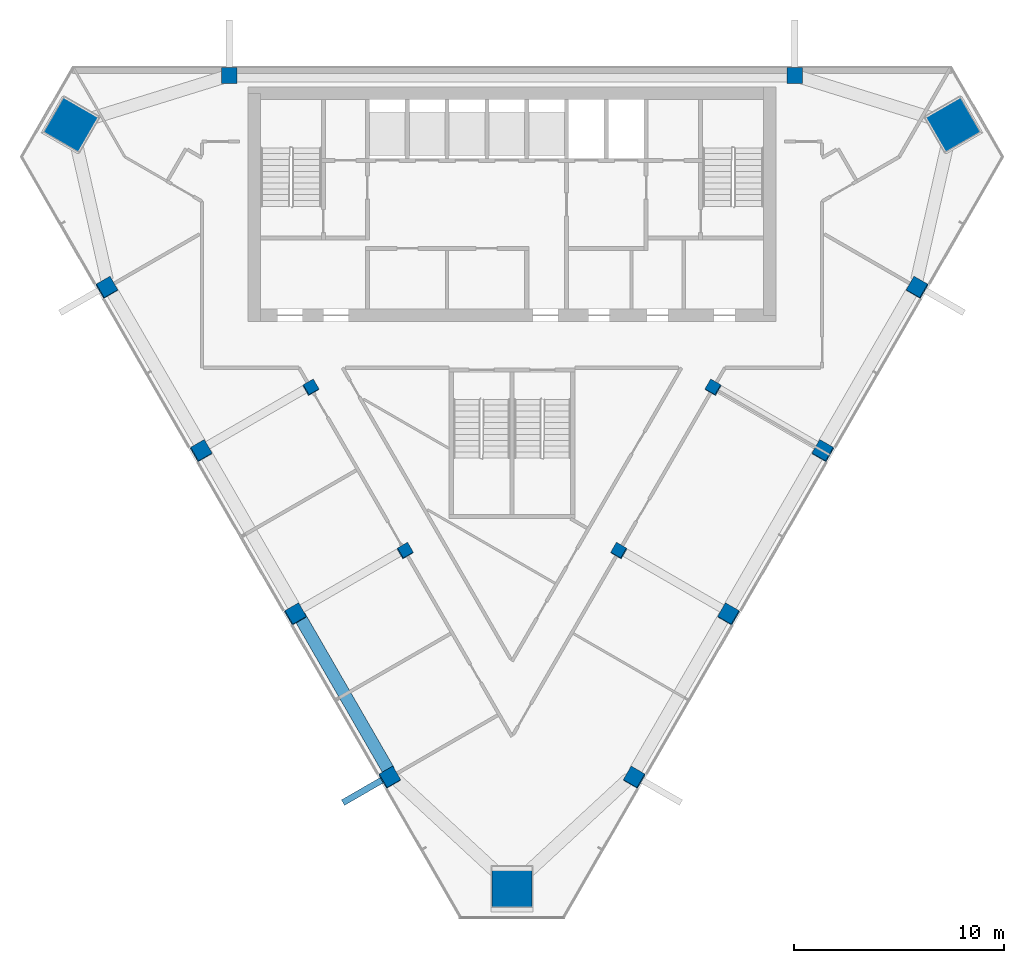
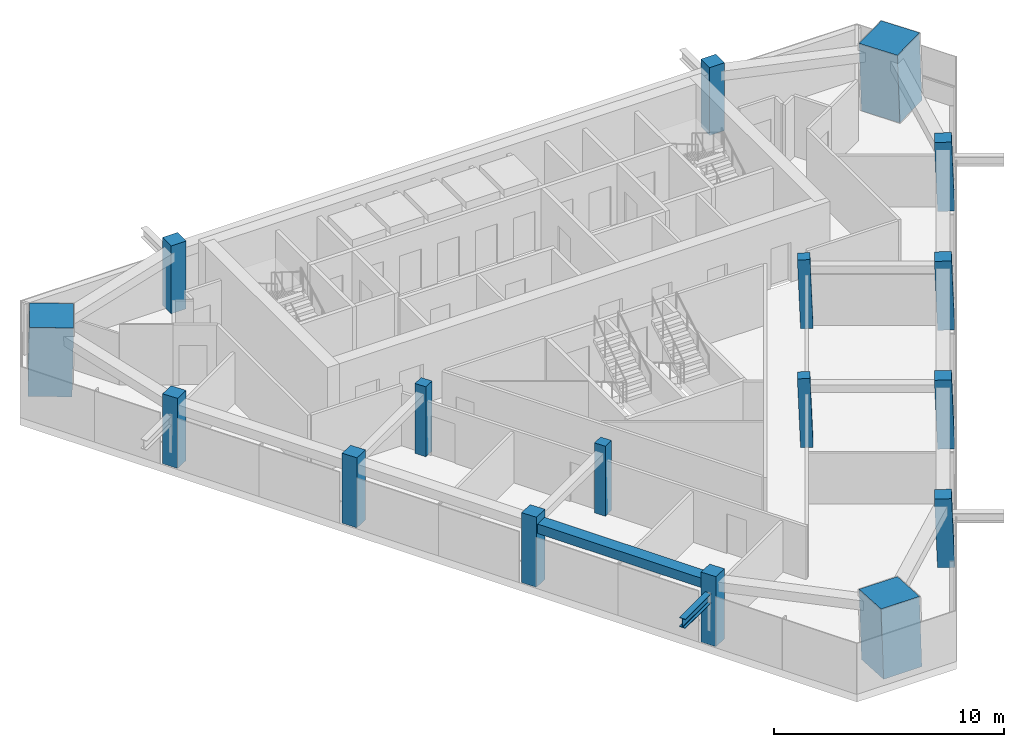
# One storey, part 1 of 12: 17 columns, 1 beam, 1 member.
"""IFC4 building model written with IfcOpenShell, lengths in metres."""

from ifc_helpers import new_model, si_unit, direction, frame, origin, origin_2d, place, context, subcontext, project, spatial, rectangle, i_section, extrude, material, material_profile, profile_set, type_object, element, save


model = new_model("IFC4")

# Units and contexts
model_context = context("Model", 3, precision=1e-05, world=origin(), true_north=direction((0.0, 1.0)))
body_context = subcontext(model_context, "Body", "Model", "MODEL_VIEW")
ifc_project = project(units=[si_unit("LENGTHUNIT", "METRE"), si_unit("AREAUNIT", "SQUARE_METRE"), si_unit("VOLUMEUNIT", "CUBIC_METRE"), si_unit("PLANEANGLEUNIT", "RADIAN"), si_unit("MASSUNIT", "GRAM", prefix="KILO")], contexts=[model_context])

# Site, building, storey
site_placement = place(None, origin())
site = spatial("IfcSite", under=ifc_project, at=site_placement, CompositionType="ELEMENT")
building_placement = place(site_placement, origin())
building = spatial("IfcBuilding", under=site, at=building_placement, Name="Altiplano Prism Tower", CompositionType="ELEMENT")
storey_placement = place(building_placement, frame((0.0, 0.0, 260.800048828125)))
storey = spatial("IfcBuildingStorey", under=building, at=storey_placement, Name="L67", CompositionType="ELEMENT", Elevation=260.800048828125)

# Columns
ifc_material_1 = material(Name="Concrete C60/75", Category="concrete")
ifc_material_profile_1 = material_profile(ifc_material_1, rectangle(XDim=0.550048828125, YDim=0.550048828125, at=origin_2d()), Name="Inner column 550")
ifc_profile_set_1 = profile_set([ifc_material_profile_1], Name="Concrete C60/75")
column_type_1 = type_object("IfcColumnType", Name="Inner column 550", PredefinedType="COLUMN", material=ifc_profile_set_1)
for number, where, z_axis, x_axis, name in (
    (1, (75.38720703125, 89.644287109375, -0.016845703125), (0.02215369191, 0.038413282303, 0.999016333038), (-0.865361979245, -0.49967375975, 0.038402847483), "Inner column I12 L67"),
    (2, (79.88720703125, 81.85009765625, -0.016845703125), (0.02215369191, 0.038413282303, 0.999016333038), (-0.865361979245, -0.49967375975, 0.038402847483), "Inner column I13 L67"),
    (3, (90.11279296875, 81.85009765625, -0.016845703125), (-0.02215369191, 0.038413282303, 0.999016333038), (-0.500657426602, -0.865361516108, 0.022171775474), "Inner column I22 L67"),
    (4, (94.61279296875, 89.644287109375, -0.016845703125), (-0.02215369191, 0.038413282303, 0.999016333038), (-0.500657426602, -0.865361516108, 0.022171775474), "Inner column I23 L67"),
):
    element("IfcColumn", number, at=place(storey_placement, frame(where, z_axis=z_axis, x_axis=x_axis)), inside=storey, type_object=column_type_1, Name=name, PredefinedType="COLUMN", context=body_context, shape_type="SweptSolid", body=[
        extrude(rectangle(XDim=0.550048828125, YDim=0.550048828125, at=origin_2d()), origin(), (0.0, 0.0, 1.0), 3.603759765625),
    ])
ifc_material_2 = material(Name="Concrete C70/85", Category="concrete")
ifc_material_profile_2 = material_profile(ifc_material_2, rectangle(XDim=1.919921875, YDim=1.919921875, at=origin_2d()), Name="Mega column infill 2000")
ifc_profile_set_2 = profile_set([ifc_material_profile_2], Name="Concrete C70/85")
column_type_2 = type_object("IfcColumnType", Name="Mega column infill 2000", PredefinedType="COLUMN", material=ifc_profile_set_2)
column_1_placement = place(storey_placement, frame((63.8935546875, 102.184326171875, 0.0), z_axis=(0.028335986449, 0.009287153453, 0.999555311452), x_axis=(-0.866551221007, 0.498689979124, 0.019932036842)))
element("IfcColumn", 5, at=column_1_placement, inside=storey, type_object=column_type_2, Name="Mega column M0 L67", PredefinedType="COLUMN", context=body_context, shape_type="SweptSolid", body=[
    extrude(rectangle(XDim=1.919921875, YDim=1.919921875, at=origin_2d()), origin(), (0.0, 0.0, 1.0), 3.6015625),
])
column_2_placement = place(storey_placement, frame((85.0, 65.626708984375, 0.0), z_axis=(0.0, 0.058360852261, 0.998295552892), x_axis=(-1.0, 0.0, 0.0)))
element("IfcColumn", 6, at=column_2_placement, inside=storey, type_object=column_type_2, Name="Mega column M1 L67", PredefinedType="COLUMN", context=body_context, shape_type="SweptSolid", body=[
    extrude(rectangle(XDim=1.919921875, YDim=1.919921875, at=origin_2d()), origin(), (0.0, 0.0, 1.0), 3.60595703125),
])
column_3_placement = place(storey_placement, frame((106.1064453125, 102.184326171875, 0.0), z_axis=(-0.028335986449, 0.009287153453, 0.999555311452), x_axis=(0.498283105517, -0.866730669529, 0.022178666655)))
element("IfcColumn", 7, at=column_3_placement, inside=storey, type_object=column_type_2, Name="Mega column M2 L67", PredefinedType="COLUMN", context=body_context, shape_type="SweptSolid", body=[
    extrude(rectangle(XDim=1.919921875, YDim=1.919921875, at=origin_2d()), origin(), (0.0, 0.0, 1.0), 3.6015625),
])
ifc_material_profile_3 = material_profile(ifc_material_1, rectangle(XDim=0.75, YDim=0.75, at=origin_2d()), Name="Perimeter column 750")
ifc_profile_set_3 = profile_set([ifc_material_profile_3], Name="Concrete C60/75")
column_type_3 = type_object("IfcColumnType", Name="Perimeter column 750", PredefinedType="COLUMN", material=ifc_profile_set_3)
for number, where, z_axis, x_axis, name in (
    (8, (98.5, 104.550048828125, 0.0), (0.0, 0.0, 1.0), (1.0, 0.0, 0.0), "Perimeter column P01 L67"),
    (9, (71.5, 104.550048828125, 0.0), (0.0, 0.0, 1.0), (1.0, 0.0, 0.0), "Perimeter column P04 L67"),
):
    element("IfcColumn", number, at=place(storey_placement, frame(where, z_axis=z_axis, x_axis=x_axis)), inside=storey, type_object=column_type_3, Name=name, PredefinedType="COLUMN", context=body_context, shape_type="SweptSolid", body=[
        extrude(rectangle(XDim=0.75, YDim=0.75, at=origin_2d()), origin(), (0.0, 0.0, 1.0), 3.599853515625),
    ])
for number, where, z_axis, x_axis, name in (
    (10, (65.6474609375, 94.413330078125, -0.022705078125), (0.022222910879, 0.038415824599, 0.999014697916), (-0.866021313636, -0.498527687654, 0.038434736505), "Perimeter column P11 L67"),
    (11, (70.1474609375, 86.619140625, -0.022705078125), (0.022222910879, 0.038415824599, 0.999014697916), (-0.866021313636, -0.498527687654, 0.038434736505), "Perimeter column P12 L67"),
    (12, (74.6474609375, 78.82470703125, -0.022705078125), (0.022222852987, 0.038483477124, 0.999012095419), (-0.865639343377, -0.499186736926, 0.038485437179), "Perimeter column P13 L67"),
    (13, (79.1474609375, 71.030517578125, -0.022705078125), (0.022222852987, 0.038483477124, 0.999012095419), (-0.865639343377, -0.499186736926, 0.038485437179), "Perimeter column P14 L67"),
    (14, (90.8525390625, 71.030517578125, -0.022705078125), (-0.022222852987, 0.038483477124, 0.999012095419), (-0.500174641503, -0.865639430517, 0.022219458401), "Perimeter column P21 L67"),
    (15, (95.3525390625, 78.82470703125, -0.022705078125), (-0.022222852987, 0.038483477124, 0.999012095419), (-0.500174641503, -0.865639430517, 0.022219458401), "Perimeter column P22 L67"),
    (16, (99.8525390625, 86.619140625, -0.022705078125), (-0.022222910879, 0.038415824599, 0.999014697916), (-0.499512989381, -0.866022152755, 0.02219018651), "Perimeter column P23 L67"),
    (17, (104.3525390625, 94.413330078125, -0.022705078125), (-0.022222910879, 0.038415824599, 0.999014697916), (-0.499512989381, -0.866022152755, 0.02219018651), "Perimeter column P24 L67"),
):
    element("IfcColumn", number, at=place(storey_placement, frame(where, z_axis=z_axis, x_axis=x_axis)), inside=storey, type_object=column_type_3, Name=name, PredefinedType="COLUMN", context=body_context, shape_type="SweptSolid", body=[
        extrude(rectangle(XDim=0.75, YDim=0.75, at=origin_2d()), origin(), (0.0, 0.0, 1.0), 3.603515625),
    ])

# Member
ifc_material_3 = material(Name="Steel S355", Category="steel")
ifc_material_profile_4 = material_profile(ifc_material_3, i_section(OverallWidth=0.300048828125, OverallDepth=0.5, WebThickness=0.014404296875, FlangeThickness=0.028076171875, FilletRadius=0.027099609375, at=origin_2d()), Name="Brace bracket HEB 500")
ifc_profile_set_4 = profile_set([ifc_material_profile_4], Name="Steel S355")
member_type = type_object("IfcMemberType", Name="Brace bracket HEB 500", PredefinedType="STRUT", material=ifc_profile_set_4)
member_placement = place(storey_placement, frame((79.22802734375, 71.169921875, 2.39453125), z_axis=(-0.866029095148, -0.499993606316, 0.0), x_axis=(0.499993606316, -0.866029095148, 0.0)))
element("IfcMember", 18, at=member_placement, inside=storey, type_object=member_type, Name="Brace bracket 1.264.4", PredefinedType="STRUT", context=body_context, shape_type="SweptSolid", body=[
    extrude(i_section(OverallWidth=0.300048828125, OverallDepth=0.5, WebThickness=0.014404296875, FlangeThickness=0.028076171875, FilletRadius=0.027099609375, at=origin_2d()), origin(), (0.0, 0.0, 1.0), 2.64990234375),
])

# Beam
ifc_material_profile_5 = material_profile(ifc_material_1, rectangle(XDim=0.60009765625, YDim=0.5, at=origin_2d()), Name="Edge beam 600x500")
ifc_profile_set_5 = profile_set([ifc_material_profile_5], Name="Concrete C60/75")
beam_type = type_object("IfcBeamType", Name="Edge beam 600x500", PredefinedType="SPANDREL", material=ifc_profile_set_5)
beam_placement = place(storey_placement, frame((74.843017578125, 78.76513671875, 2.949951171875), z_axis=(0.499994660107, -0.866028486751, 0.0), x_axis=(0.866028486751, 0.499994660107, 0.0)))
element("IfcBeam", 19, at=beam_placement, inside=storey, type_object=beam_type, Name="Edge beam P13-P14 L68", PredefinedType="SPANDREL", context=body_context, shape_type="SweptSolid", body=[
    extrude(rectangle(XDim=0.60009765625, YDim=0.5, at=origin_2d()), origin(), (0.0, 0.0, 1.0), 8.5400390625),
])

save(model, "model.ifc")
